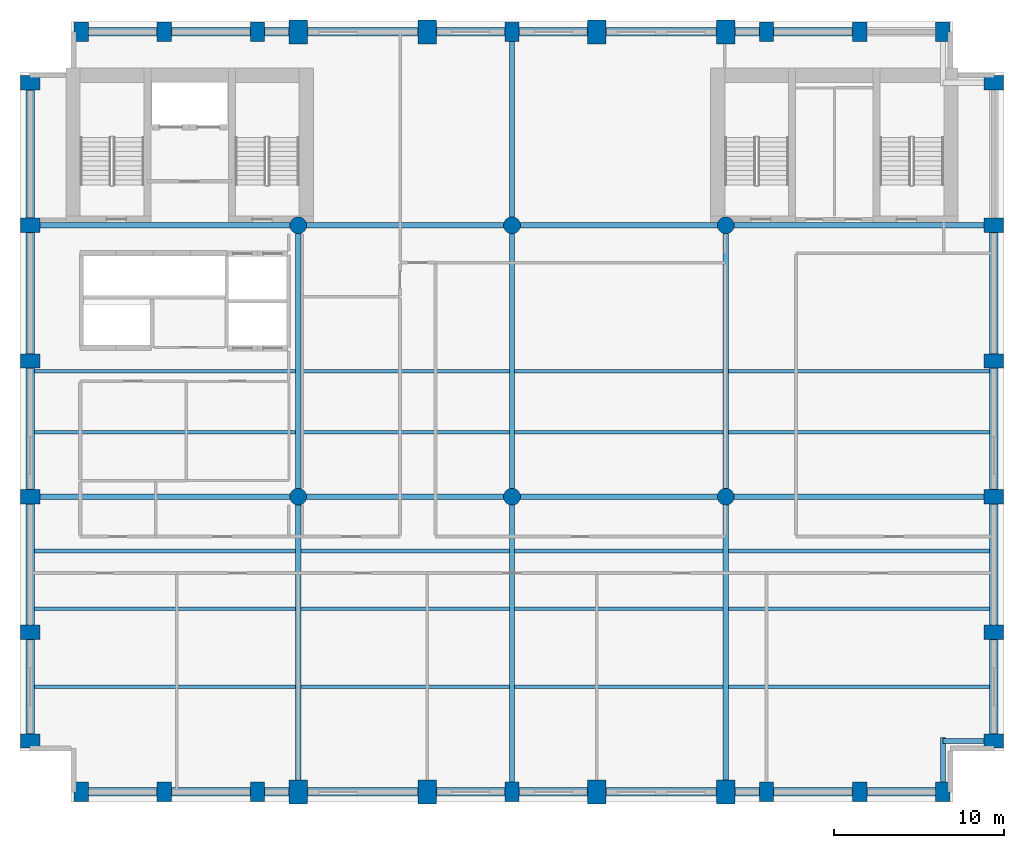
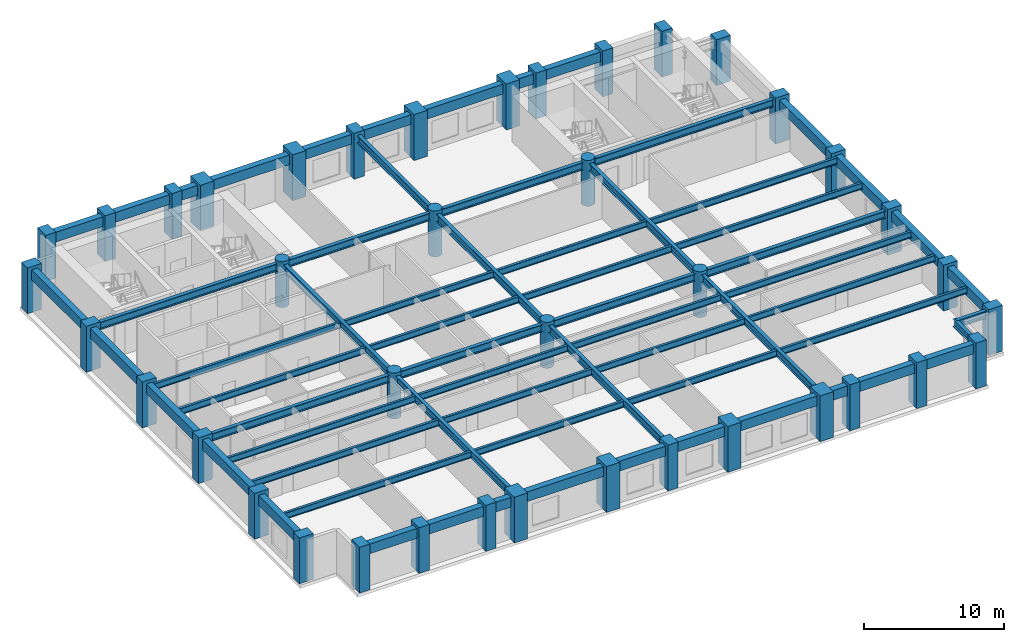
# One storey, part 1 of 8: 65 beams, 40 columns.
"""IFC4 building model written with IfcOpenShell, lengths in metres."""

from ifc_helpers import new_model, si_unit, direction, frame, origin, origin_2d, place, context, subcontext, project, spatial, rectangle, circle, i_section, extrude, material, material_profile, profile_set, type_object, element, save


model = new_model("IFC4")

# Units and contexts
model_context = context("Model", 3, precision=1e-05, world=origin(), true_north=direction((0.0, 1.0)))
body_context = subcontext(model_context, "Body", "Model", "MODEL_VIEW")
ifc_project = project(units=[si_unit("LENGTHUNIT", "METRE"), si_unit("AREAUNIT", "SQUARE_METRE"), si_unit("VOLUMEUNIT", "CUBIC_METRE"), si_unit("PLANEANGLEUNIT", "RADIAN"), si_unit("MASSUNIT", "GRAM", prefix="KILO")], contexts=[model_context])

# Site, building, storey
site_placement = place(None, origin())
site = spatial("IfcSite", under=ifc_project, at=site_placement, CompositionType="ELEMENT")
building_placement = place(site_placement, origin())
building = spatial("IfcBuilding", under=site, at=building_placement, Name="Sulina Concourse Tower", CompositionType="ELEMENT")
storey_placement = place(building_placement, frame((0.0, 0.0, 132.60009765625)))
storey = spatial("IfcBuildingStorey", under=building, at=storey_placement, Name="L32", CompositionType="ELEMENT", Elevation=132.60009765625)

# Columns
ifc_material_1 = material(Name="Concrete C60/75", Category="concrete")
ifc_material_profile_1 = material_profile(ifc_material_1, circle(Radius=0.5, at=origin_2d()), Name="RC D1000")
ifc_profile_set_1 = profile_set([ifc_material_profile_1], Name="Concrete C60/75")
column_type_1 = type_object("IfcColumnType", Name="Lower Interior Circular Column D1000", PredefinedType="COLUMN", material=ifc_profile_set_1)
for number, where, z_axis, x_axis, name in (
    (1, (16.39990234375, 18.0, 0.0), (0.0, 0.0, 1.0), (1.0, 0.0, 0.0), "L32 structural column IC-M-164"),
    (2, (16.39990234375, 34.0, 0.0), (0.0, 0.0, 1.0), (1.0, 0.0, 0.0), "L32 structural column IC-N-164"),
    (3, (29.0, 18.0, 0.0), (0.0, 0.0, 1.0), (1.0, 0.0, 0.0), "L32 structural column IC-M-290"),
    (4, (29.0, 34.0, 0.0), (0.0, 0.0, 1.0), (1.0, 0.0, 0.0), "L32 structural column IC-N-290"),
    (5, (41.60009765625, 18.0, 0.0), (0.0, 0.0, 1.0), (1.0, 0.0, 0.0), "L32 structural column IC-M-416"),
    (6, (41.60009765625, 34.0, 0.0), (0.0, 0.0, 1.0), (1.0, 0.0, 0.0), "L32 structural column IC-N-416"),
):
    element("IfcColumn", number, at=place(storey_placement, frame(where, z_axis=z_axis, x_axis=x_axis)), inside=storey, type_object=column_type_1, Name=name, PredefinedType="COLUMN", context=body_context, shape_type="SweptSolid", body=[
        extrude(circle(Radius=0.5, at=origin_2d()), origin(), (0.0, 0.0, 1.0), 4.0),
    ])
ifc_material_2 = material(Name="Concrete C60/75", Category="concrete")
ifc_material_profile_2 = material_profile(ifc_material_2, rectangle(XDim=1.10009765625, YDim=1.39990234375, at=origin_2d()), Name="RC 1100x1400")
ifc_profile_set_2 = profile_set([ifc_material_profile_2], Name="Concrete C60/75")
column_type_2 = type_object("IfcColumnType", Name="Mid-Rise Portal Column 1100x1400", PredefinedType="COLUMN", material=ifc_profile_set_2)
for number, where, z_axis, x_axis, name in (
    (7, (16.39990234375, 0.60009765625, 0.0), (0.0, 0.0, 1.0), (1.0, 0.0, 0.0), "L32 structural column TP-S-164"),
    (8, (16.39990234375, 45.39990234375, 0.0), (0.0, 0.0, 1.0), (1.0, 0.0, 0.0), "L32 structural column TP-N-164"),
    (9, (24.0, 0.60009765625, 0.0), (0.0, 0.0, 1.0), (1.0, 0.0, 0.0), "L32 structural column TP-S-240"),
    (10, (24.0, 45.39990234375, 0.0), (0.0, 0.0, 1.0), (1.0, 0.0, 0.0), "L32 structural column TP-N-240"),
    (11, (34.0, 0.60009765625, 0.0), (0.0, 0.0, 1.0), (1.0, 0.0, 0.0), "L32 structural column TP-S-340"),
    (12, (34.0, 45.39990234375, 0.0), (0.0, 0.0, 1.0), (1.0, 0.0, 0.0), "L32 structural column TP-N-340"),
    (13, (41.60009765625, 0.60009765625, 0.0), (0.0, 0.0, 1.0), (1.0, 0.0, 0.0), "L32 structural column TP-S-416"),
    (14, (41.60009765625, 45.39990234375, 0.0), (0.0, 0.0, 1.0), (1.0, 0.0, 0.0), "L32 structural column TP-N-416"),
):
    element("IfcColumn", number, at=place(storey_placement, frame(where, z_axis=z_axis, x_axis=x_axis)), inside=storey, type_object=column_type_2, Name=name, PredefinedType="COLUMN", context=body_context, shape_type="SweptSolid", body=[
        extrude(rectangle(XDim=1.10009765625, YDim=1.39990234375, at=origin_2d()), origin(), (0.0, 0.0, 1.0), 4.0),
    ])
ifc_material_3 = material(Name="Precast concrete C60/75", Category="concrete")
ifc_material_profile_3 = material_profile(ifc_material_3, rectangle(XDim=0.85009765625, YDim=1.14990234375, at=origin_2d()), Name="PC 850x1150")
ifc_profile_set_3 = profile_set([ifc_material_profile_3], Name="Precast concrete C60/75")
column_type_3 = type_object("IfcColumnType", Name="Precast Tube Pier Zone 2 850x1150", PredefinedType="COLUMN", material=ifc_profile_set_3)
for number, where, z_axis, x_axis, name in (
    (15, (3.60009765625, 0.60009765625, 0.0), (0.0, 0.0, 1.0), (1.0, 0.0, 0.0), "L32 structural column TP-S-36"),
    (16, (3.60009765625, 45.39990234375, 0.0), (0.0, 0.0, 1.0), (1.0, 0.0, 0.0), "L32 structural column TP-N-36"),
    (17, (8.5, 0.60009765625, 0.0), (0.0, 0.0, 1.0), (1.0, 0.0, 0.0), "L32 structural column TP-S-85"),
    (18, (8.5, 45.39990234375, 0.0), (0.0, 0.0, 1.0), (1.0, 0.0, 0.0), "L32 structural column TP-N-85"),
    (19, (14.0, 0.60009765625, 0.0), (0.0, 0.0, 1.0), (1.0, 0.0, 0.0), "L32 structural column TP-S-140"),
    (20, (14.0, 45.39990234375, 0.0), (0.0, 0.0, 1.0), (1.0, 0.0, 0.0), "L32 structural column TP-N-140"),
    (21, (29.0, 0.60009765625, 0.0), (0.0, 0.0, 1.0), (1.0, 0.0, 0.0), "L32 structural column TP-S-290"),
    (22, (29.0, 45.39990234375, 0.0), (0.0, 0.0, 1.0), (1.0, 0.0, 0.0), "L32 structural column TP-N-290"),
    (23, (44.0, 0.60009765625, 0.0), (0.0, 0.0, 1.0), (1.0, 0.0, 0.0), "L32 structural column TP-S-440"),
    (24, (44.0, 45.39990234375, 0.0), (0.0, 0.0, 1.0), (1.0, 0.0, 0.0), "L32 structural column TP-N-440"),
    (25, (49.5, 0.60009765625, 0.0), (0.0, 0.0, 1.0), (1.0, 0.0, 0.0), "L32 structural column TP-S-495"),
    (26, (49.5, 45.39990234375, 0.0), (0.0, 0.0, 1.0), (1.0, 0.0, 0.0), "L32 structural column TP-N-495"),
    (27, (54.39990234375, 0.60009765625, 0.0), (0.0, 0.0, 1.0), (1.0, 0.0, 0.0), "L32 structural column TP-S-544"),
    (28, (54.39990234375, 45.39990234375, 0.0), (0.0, 0.0, 1.0), (1.0, 0.0, 0.0), "L32 structural column TP-N-544"),
    (29, (0.60009765625, 3.60009765625, 0.0), (0.0, 0.0, 1.0), (0.0, 1.0, 0.0), "L32 structural column TP-W-36"),
    (30, (57.39990234375, 3.60009765625, 0.0), (0.0, 0.0, 1.0), (0.0, 1.0, 0.0), "L32 structural column TP-E-36"),
    (31, (0.60009765625, 10.0, 0.0), (0.0, 0.0, 1.0), (0.0, 1.0, 0.0), "L32 structural column TP-W-100"),
    (32, (57.39990234375, 10.0, 0.0), (0.0, 0.0, 1.0), (0.0, 1.0, 0.0), "L32 structural column TP-E-100"),
    (33, (0.60009765625, 18.0, 0.0), (0.0, 0.0, 1.0), (0.0, 1.0, 0.0), "L32 structural column TP-W-180"),
    (34, (57.39990234375, 18.0, 0.0), (0.0, 0.0, 1.0), (0.0, 1.0, 0.0), "L32 structural column TP-E-180"),
    (35, (0.60009765625, 26.0, 0.0), (0.0, 0.0, 1.0), (0.0, 1.0, 0.0), "L32 structural column TP-W-260"),
    (36, (57.39990234375, 26.0, 0.0), (0.0, 0.0, 1.0), (0.0, 1.0, 0.0), "L32 structural column TP-E-260"),
    (37, (0.60009765625, 34.0, 0.0), (0.0, 0.0, 1.0), (0.0, 1.0, 0.0), "L32 structural column TP-W-340"),
    (38, (57.39990234375, 34.0, 0.0), (0.0, 0.0, 1.0), (0.0, 1.0, 0.0), "L32 structural column TP-E-340"),
    (39, (0.60009765625, 42.39990234375, 0.0), (0.0, 0.0, 1.0), (0.0, 1.0, 0.0), "L32 structural column TP-W-424"),
    (40, (57.39990234375, 42.39990234375, 0.0), (0.0, 0.0, 1.0), (0.0, 1.0, 0.0), "L32 structural column TP-E-424"),
):
    element("IfcColumn", number, at=place(storey_placement, frame(where, z_axis=z_axis, x_axis=x_axis)), inside=storey, type_object=column_type_3, Name=name, PredefinedType="COLUMN", context=body_context, shape_type="SweptSolid", body=[
        extrude(rectangle(XDim=0.85009765625, YDim=1.14990234375, at=origin_2d()), origin(), (0.0, 0.0, 1.0), 4.0),
    ])

# Beams
ifc_material_4 = material(Name="Steel S355", Category="steel")
ifc_material_profile_4 = material_profile(ifc_material_4, i_section(OverallWidth=0.2099609375, OverallDepth=0.550048828125, WebThickness=0.010986328125, FlangeThickness=0.01708984375, at=origin_2d()), Name="IPE 550")
ifc_profile_set_4 = profile_set([ifc_material_profile_4], Name="Steel S355")
beam_type_1 = type_object("IfcBeamType", Name="Composite Floor Joist IPE550", PredefinedType="JOIST", material=ifc_profile_set_4)
beam_1_placement = place(storey_placement, frame((0.85009765625, 6.800048828125, 3.449951171875), z_axis=(1.0, 0.0, 0.0), x_axis=(0.0, 1.0, 0.0)))
element("IfcBeam", 41, at=beam_1_placement, inside=storey, type_object=beam_type_1, Name="FJ-J06-1-L32", PredefinedType="JOIST", context=body_context, shape_type="SweptSolid", body=[
    extrude(i_section(OverallWidth=0.2099609375, OverallDepth=0.550048828125, WebThickness=0.010986328125, FlangeThickness=0.01708984375, at=origin_2d()), origin(), (0.0, 0.0, 1.0), 15.39990234375),
])
for number, where, z_axis, x_axis, name in (
    (42, (16.550048828125, 6.800048828125, 3.449951171875), (1.0, 0.0, 0.0), (0.0, 1.0, 0.0), "FJ-J06-2-L32"),
    (43, (29.14990234375, 6.800048828125, 3.449951171875), (1.0, 0.0, 0.0), (0.0, 1.0, 0.0), "FJ-J06-3-L32"),
):
    element("IfcBeam", number, at=place(storey_placement, frame(where, z_axis=z_axis, x_axis=x_axis)), inside=storey, type_object=beam_type_1, Name=name, PredefinedType="JOIST", context=body_context, shape_type="SweptSolid", body=[
        extrude(i_section(OverallWidth=0.2099609375, OverallDepth=0.550048828125, WebThickness=0.010986328125, FlangeThickness=0.01708984375, at=origin_2d()), origin(), (0.0, 0.0, 1.0), 12.300048828125),
    ])
for number, where, z_axis, x_axis, name in (
    (44, (41.75, 6.800048828125, 3.449951171875), (1.0, 0.0, 0.0), (0.0, 1.0, 0.0), "FJ-J06-4-L32"),
    (45, (0.85009765625, 11.39990234375, 3.449951171875), (1.0, 0.0, 0.0), (0.0, 1.0, 0.0), "FJ-J11-1-L32"),
):
    element("IfcBeam", number, at=place(storey_placement, frame(where, z_axis=z_axis, x_axis=x_axis)), inside=storey, type_object=beam_type_1, Name=name, PredefinedType="JOIST", context=body_context, shape_type="SweptSolid", body=[
        extrude(i_section(OverallWidth=0.2099609375, OverallDepth=0.550048828125, WebThickness=0.010986328125, FlangeThickness=0.01708984375, at=origin_2d()), origin(), (0.0, 0.0, 1.0), 15.39990234375),
    ])
for number, where, z_axis, x_axis, name in (
    (46, (16.550048828125, 11.39990234375, 3.449951171875), (1.0, 0.0, 0.0), (0.0, 1.0, 0.0), "FJ-J11-2-L32"),
    (47, (29.14990234375, 11.39990234375, 3.449951171875), (1.0, 0.0, 0.0), (0.0, 1.0, 0.0), "FJ-J11-3-L32"),
):
    element("IfcBeam", number, at=place(storey_placement, frame(where, z_axis=z_axis, x_axis=x_axis)), inside=storey, type_object=beam_type_1, Name=name, PredefinedType="JOIST", context=body_context, shape_type="SweptSolid", body=[
        extrude(i_section(OverallWidth=0.2099609375, OverallDepth=0.550048828125, WebThickness=0.010986328125, FlangeThickness=0.01708984375, at=origin_2d()), origin(), (0.0, 0.0, 1.0), 12.300048828125),
    ])
for number, where, z_axis, x_axis, name in (
    (48, (41.75, 11.39990234375, 3.449951171875), (1.0, 0.0, 0.0), (0.0, 1.0, 0.0), "FJ-J11-4-L32"),
    (49, (0.85009765625, 14.800048828125, 3.449951171875), (1.0, 0.0, 0.0), (0.0, 1.0, 0.0), "FJ-J15-1-L32"),
):
    element("IfcBeam", number, at=place(storey_placement, frame(where, z_axis=z_axis, x_axis=x_axis)), inside=storey, type_object=beam_type_1, Name=name, PredefinedType="JOIST", context=body_context, shape_type="SweptSolid", body=[
        extrude(i_section(OverallWidth=0.2099609375, OverallDepth=0.550048828125, WebThickness=0.010986328125, FlangeThickness=0.01708984375, at=origin_2d()), origin(), (0.0, 0.0, 1.0), 15.39990234375),
    ])
for number, where, z_axis, x_axis, name in (
    (50, (16.550048828125, 14.800048828125, 3.449951171875), (1.0, 0.0, 0.0), (0.0, 1.0, 0.0), "FJ-J15-2-L32"),
    (51, (29.14990234375, 14.800048828125, 3.449951171875), (1.0, 0.0, 0.0), (0.0, 1.0, 0.0), "FJ-J15-3-L32"),
):
    element("IfcBeam", number, at=place(storey_placement, frame(where, z_axis=z_axis, x_axis=x_axis)), inside=storey, type_object=beam_type_1, Name=name, PredefinedType="JOIST", context=body_context, shape_type="SweptSolid", body=[
        extrude(i_section(OverallWidth=0.2099609375, OverallDepth=0.550048828125, WebThickness=0.010986328125, FlangeThickness=0.01708984375, at=origin_2d()), origin(), (0.0, 0.0, 1.0), 12.300048828125),
    ])
for number, where, z_axis, x_axis, name in (
    (52, (41.75, 14.800048828125, 3.449951171875), (1.0, 0.0, 0.0), (0.0, 1.0, 0.0), "FJ-J15-4-L32"),
    (53, (0.85009765625, 21.800048828125, 3.449951171875), (1.0, 0.0, 0.0), (0.0, 1.0, 0.0), "FJ-J22-1-L32"),
):
    element("IfcBeam", number, at=place(storey_placement, frame(where, z_axis=z_axis, x_axis=x_axis)), inside=storey, type_object=beam_type_1, Name=name, PredefinedType="JOIST", context=body_context, shape_type="SweptSolid", body=[
        extrude(i_section(OverallWidth=0.2099609375, OverallDepth=0.550048828125, WebThickness=0.010986328125, FlangeThickness=0.01708984375, at=origin_2d()), origin(), (0.0, 0.0, 1.0), 15.39990234375),
    ])
for number, where, z_axis, x_axis, name in (
    (54, (16.550048828125, 21.800048828125, 3.449951171875), (1.0, 0.0, 0.0), (0.0, 1.0, 0.0), "FJ-J22-2-L32"),
    (55, (29.14990234375, 21.800048828125, 3.449951171875), (1.0, 0.0, 0.0), (0.0, 1.0, 0.0), "FJ-J22-3-L32"),
):
    element("IfcBeam", number, at=place(storey_placement, frame(where, z_axis=z_axis, x_axis=x_axis)), inside=storey, type_object=beam_type_1, Name=name, PredefinedType="JOIST", context=body_context, shape_type="SweptSolid", body=[
        extrude(i_section(OverallWidth=0.2099609375, OverallDepth=0.550048828125, WebThickness=0.010986328125, FlangeThickness=0.01708984375, at=origin_2d()), origin(), (0.0, 0.0, 1.0), 12.300048828125),
    ])
for number, where, z_axis, x_axis, name in (
    (56, (41.75, 21.800048828125, 3.449951171875), (1.0, 0.0, 0.0), (0.0, 1.0, 0.0), "FJ-J22-4-L32"),
    (57, (0.85009765625, 25.39990234375, 3.449951171875), (1.0, 0.0, 0.0), (0.0, 1.0, 0.0), "FJ-J25-1-L32"),
):
    element("IfcBeam", number, at=place(storey_placement, frame(where, z_axis=z_axis, x_axis=x_axis)), inside=storey, type_object=beam_type_1, Name=name, PredefinedType="JOIST", context=body_context, shape_type="SweptSolid", body=[
        extrude(i_section(OverallWidth=0.2099609375, OverallDepth=0.550048828125, WebThickness=0.010986328125, FlangeThickness=0.01708984375, at=origin_2d()), origin(), (0.0, 0.0, 1.0), 15.39990234375),
    ])
for number, where, z_axis, x_axis, name in (
    (58, (16.550048828125, 25.39990234375, 3.449951171875), (1.0, 0.0, 0.0), (0.0, 1.0, 0.0), "FJ-J25-2-L32"),
    (59, (29.14990234375, 25.39990234375, 3.449951171875), (1.0, 0.0, 0.0), (0.0, 1.0, 0.0), "FJ-J25-3-L32"),
):
    element("IfcBeam", number, at=place(storey_placement, frame(where, z_axis=z_axis, x_axis=x_axis)), inside=storey, type_object=beam_type_1, Name=name, PredefinedType="JOIST", context=body_context, shape_type="SweptSolid", body=[
        extrude(i_section(OverallWidth=0.2099609375, OverallDepth=0.550048828125, WebThickness=0.010986328125, FlangeThickness=0.01708984375, at=origin_2d()), origin(), (0.0, 0.0, 1.0), 12.300048828125),
    ])
beam_2_placement = place(storey_placement, frame((41.75, 25.39990234375, 3.449951171875), z_axis=(1.0, 0.0, 0.0), x_axis=(0.0, 1.0, 0.0)))
element("IfcBeam", 60, at=beam_2_placement, inside=storey, type_object=beam_type_1, Name="FJ-J25-4-L32", PredefinedType="JOIST", context=body_context, shape_type="SweptSolid", body=[
    extrude(i_section(OverallWidth=0.2099609375, OverallDepth=0.550048828125, WebThickness=0.010986328125, FlangeThickness=0.01708984375, at=origin_2d()), origin(), (0.0, 0.0, 1.0), 15.39990234375),
])
ifc_material_5 = material(Name="Steel S355", Category="steel")
ifc_material_profile_5 = material_profile(ifc_material_5, i_section(OverallWidth=0.300048828125, OverallDepth=0.64990234375, WebThickness=0.01611328125, FlangeThickness=0.031005859375, at=origin_2d()), Name="HE 650 B")
ifc_profile_set_5 = profile_set([ifc_material_profile_5], Name="Steel S355")
beam_type_2 = type_object("IfcBeamType", Name="Floor Primary Girder Zone 2 HE650B", PredefinedType="BEAM", material=ifc_profile_set_5)
beam_3_placement = place(storey_placement, frame((54.39990234375, 3.60009765625, 3.39990234375), z_axis=(1.0, 0.0, 0.0), x_axis=(0.0, 1.0, 0.0)))
element("IfcBeam", 61, at=beam_3_placement, inside=storey, type_object=beam_type_2, Name="TIE-SE-L32", PredefinedType="BEAM", context=body_context, shape_type="SweptSolid", body=[
    extrude(i_section(OverallWidth=0.300048828125, OverallDepth=0.64990234375, WebThickness=0.01611328125, FlangeThickness=0.031005859375, at=origin_2d()), origin(), (0.0, 0.0, 1.0), 2.59521484375),
])
beam_4_placement = place(storey_placement, frame((54.39990234375, 1.0048828125, 3.39990234375), z_axis=(0.0, 1.0, 0.0), x_axis=(-1.0, 0.0, 0.0)))
element("IfcBeam", 62, at=beam_4_placement, inside=storey, type_object=beam_type_2, Name="TIE-SES-L32", PredefinedType="BEAM", context=body_context, shape_type="SweptSolid", body=[
    extrude(i_section(OverallWidth=0.300048828125, OverallDepth=0.64990234375, WebThickness=0.01611328125, FlangeThickness=0.031005859375, at=origin_2d()), origin(), (0.0, 0.0, 1.0), 2.795166015625),
])
beam_5_placement = place(storey_placement, frame((1.0048828125, 18.0, 3.39990234375), z_axis=(1.0, 0.0, 0.0), x_axis=(0.0, 1.0, 0.0)))
element("IfcBeam", 63, at=beam_5_placement, inside=storey, type_object=beam_type_2, Name="FG-EW1-L32", PredefinedType="BEAM", context=body_context, shape_type="SweptSolid", body=[
    extrude(i_section(OverallWidth=0.300048828125, OverallDepth=0.64990234375, WebThickness=0.01611328125, FlangeThickness=0.031005859375, at=origin_2d()), origin(), (0.0, 0.0, 1.0), 14.9150390625),
])
for number, where, z_axis, x_axis, name in (
    (64, (16.8798828125, 18.0, 3.39990234375), (1.0, 0.0, 0.0), (0.0, 1.0, 0.0), "FG-EW2-L32"),
    (65, (29.47998046875, 18.0, 3.39990234375), (1.0, 0.0, 0.0), (0.0, 1.0, 0.0), "FG-EW3-L32"),
):
    element("IfcBeam", number, at=place(storey_placement, frame(where, z_axis=z_axis, x_axis=x_axis)), inside=storey, type_object=beam_type_2, Name=name, PredefinedType="BEAM", context=body_context, shape_type="SweptSolid", body=[
        extrude(i_section(OverallWidth=0.300048828125, OverallDepth=0.64990234375, WebThickness=0.01611328125, FlangeThickness=0.031005859375, at=origin_2d()), origin(), (0.0, 0.0, 1.0), 11.64013671875),
    ])
for number, where, z_axis, x_axis, name in (
    (66, (42.080078125, 18.0, 3.39990234375), (1.0, 0.0, 0.0), (0.0, 1.0, 0.0), "FG-EW4-L32"),
    (67, (1.0048828125, 34.0, 3.39990234375), (1.0, 0.0, 0.0), (0.0, 1.0, 0.0), "FG-EWN1-L32"),
):
    element("IfcBeam", number, at=place(storey_placement, frame(where, z_axis=z_axis, x_axis=x_axis)), inside=storey, type_object=beam_type_2, Name=name, PredefinedType="BEAM", context=body_context, shape_type="SweptSolid", body=[
        extrude(i_section(OverallWidth=0.300048828125, OverallDepth=0.64990234375, WebThickness=0.01611328125, FlangeThickness=0.031005859375, at=origin_2d()), origin(), (0.0, 0.0, 1.0), 14.9150390625),
    ])
for number, where, z_axis, x_axis, name in (
    (68, (16.8798828125, 34.0, 3.39990234375), (1.0, 0.0, 0.0), (0.0, 1.0, 0.0), "FG-EWN2-L32"),
    (69, (29.47998046875, 34.0, 3.39990234375), (1.0, 0.0, 0.0), (0.0, 1.0, 0.0), "FG-EWN3-L32"),
):
    element("IfcBeam", number, at=place(storey_placement, frame(where, z_axis=z_axis, x_axis=x_axis)), inside=storey, type_object=beam_type_2, Name=name, PredefinedType="BEAM", context=body_context, shape_type="SweptSolid", body=[
        extrude(i_section(OverallWidth=0.300048828125, OverallDepth=0.64990234375, WebThickness=0.01611328125, FlangeThickness=0.031005859375, at=origin_2d()), origin(), (0.0, 0.0, 1.0), 11.64013671875),
    ])
beam_6_placement = place(storey_placement, frame((42.080078125, 34.0, 3.39990234375), z_axis=(1.0, 0.0, 0.0), x_axis=(0.0, 1.0, 0.0)))
element("IfcBeam", 70, at=beam_6_placement, inside=storey, type_object=beam_type_2, Name="FG-EWN4-L32", PredefinedType="BEAM", context=body_context, shape_type="SweptSolid", body=[
    extrude(i_section(OverallWidth=0.300048828125, OverallDepth=0.64990234375, WebThickness=0.01611328125, FlangeThickness=0.031005859375, at=origin_2d()), origin(), (0.0, 0.0, 1.0), 14.9150390625),
])
beam_7_placement = place(storey_placement, frame((16.39990234375, 1.1298828125, 3.39990234375), z_axis=(0.0, 1.0, 0.0), x_axis=(-1.0, 0.0, 0.0)))
element("IfcBeam", 71, at=beam_7_placement, inside=storey, type_object=beam_type_2, Name="FG-NSA-16-L32", PredefinedType="BEAM", context=body_context, shape_type="SweptSolid", body=[
    extrude(i_section(OverallWidth=0.300048828125, OverallDepth=0.64990234375, WebThickness=0.01611328125, FlangeThickness=0.031005859375, at=origin_2d()), origin(), (0.0, 0.0, 1.0), 16.39013671875),
])
beam_8_placement = place(storey_placement, frame((16.39990234375, 18.47998046875, 3.39990234375), z_axis=(0.0, 1.0, 0.0), x_axis=(-1.0, 0.0, 0.0)))
element("IfcBeam", 72, at=beam_8_placement, inside=storey, type_object=beam_type_2, Name="FG-NSB-16-L32", PredefinedType="BEAM", context=body_context, shape_type="SweptSolid", body=[
    extrude(i_section(OverallWidth=0.300048828125, OverallDepth=0.64990234375, WebThickness=0.01611328125, FlangeThickness=0.031005859375, at=origin_2d()), origin(), (0.0, 0.0, 1.0), 15.0400390625),
])
beam_9_placement = place(storey_placement, frame((29.0, 1.0048828125, 3.39990234375), z_axis=(0.0, 1.0, 0.0), x_axis=(-1.0, 0.0, 0.0)))
element("IfcBeam", 73, at=beam_9_placement, inside=storey, type_object=beam_type_2, Name="FG-NSA-29-L32", PredefinedType="BEAM", context=body_context, shape_type="SweptSolid", body=[
    extrude(i_section(OverallWidth=0.300048828125, OverallDepth=0.64990234375, WebThickness=0.01611328125, FlangeThickness=0.031005859375, at=origin_2d()), origin(), (0.0, 0.0, 1.0), 16.51513671875),
])
beam_10_placement = place(storey_placement, frame((29.0, 18.47998046875, 3.39990234375), z_axis=(0.0, 1.0, 0.0), x_axis=(-1.0, 0.0, 0.0)))
element("IfcBeam", 74, at=beam_10_placement, inside=storey, type_object=beam_type_2, Name="FG-NSB-29-L32", PredefinedType="BEAM", context=body_context, shape_type="SweptSolid", body=[
    extrude(i_section(OverallWidth=0.300048828125, OverallDepth=0.64990234375, WebThickness=0.01611328125, FlangeThickness=0.031005859375, at=origin_2d()), origin(), (0.0, 0.0, 1.0), 15.0400390625),
])
beam_11_placement = place(storey_placement, frame((29.0, 34.47998046875, 3.39990234375), z_axis=(0.0, 1.0, 0.0), x_axis=(-1.0, 0.0, 0.0)))
element("IfcBeam", 75, at=beam_11_placement, inside=storey, type_object=beam_type_2, Name="FG-NSC-29-L32", PredefinedType="BEAM", context=body_context, shape_type="SweptSolid", body=[
    extrude(i_section(OverallWidth=0.300048828125, OverallDepth=0.64990234375, WebThickness=0.01611328125, FlangeThickness=0.031005859375, at=origin_2d()), origin(), (0.0, 0.0, 1.0), 10.51513671875),
])
beam_12_placement = place(storey_placement, frame((41.60009765625, 1.1298828125, 3.39990234375), z_axis=(0.0, 1.0, 0.0), x_axis=(-1.0, 0.0, 0.0)))
element("IfcBeam", 76, at=beam_12_placement, inside=storey, type_object=beam_type_2, Name="FG-NSA-41-L32", PredefinedType="BEAM", context=body_context, shape_type="SweptSolid", body=[
    extrude(i_section(OverallWidth=0.300048828125, OverallDepth=0.64990234375, WebThickness=0.01611328125, FlangeThickness=0.031005859375, at=origin_2d()), origin(), (0.0, 0.0, 1.0), 16.39013671875),
])
beam_13_placement = place(storey_placement, frame((41.60009765625, 18.47998046875, 3.39990234375), z_axis=(0.0, 1.0, 0.0), x_axis=(-1.0, 0.0, 0.0)))
element("IfcBeam", 77, at=beam_13_placement, inside=storey, type_object=beam_type_2, Name="FG-NSB-41-L32", PredefinedType="BEAM", context=body_context, shape_type="SweptSolid", body=[
    extrude(i_section(OverallWidth=0.300048828125, OverallDepth=0.64990234375, WebThickness=0.01611328125, FlangeThickness=0.031005859375, at=origin_2d()), origin(), (0.0, 0.0, 1.0), 15.0400390625),
])
ifc_material_6 = material(Name="Precast concrete C50/60", Category="concrete")
ifc_material_profile_6 = material_profile(ifc_material_6, rectangle(XDim=0.5, YDim=0.85009765625, at=origin_2d()), Name="RC 500x850")
ifc_profile_set_6 = profile_set([ifc_material_profile_6], Name="Precast concrete C50/60")
beam_type_3 = type_object("IfcBeamType", Name="Lower Precast Spandrel Edge Beam 500x850", PredefinedType="BEAM", material=ifc_profile_set_6)
beam_14_placement = place(storey_placement, frame((4.0048828125, 0.60009765625, 3.2998046875), z_axis=(1.0, 0.0, 0.0), x_axis=(0.0, 1.0, 0.0)))
element("IfcBeam", 78, at=beam_14_placement, inside=storey, type_object=beam_type_3, Name="SP-S1-L32", PredefinedType="BEAM", context=body_context, shape_type="SweptSolid", body=[
    extrude(rectangle(XDim=0.5, YDim=0.85009765625, at=origin_2d()), origin(), (0.0, 0.0, 1.0), 4.090087890625),
])
beam_15_placement = place(storey_placement, frame((8.905029296875, 0.60009765625, 3.2998046875), z_axis=(1.0, 0.0, 0.0), x_axis=(0.0, 1.0, 0.0)))
element("IfcBeam", 79, at=beam_15_placement, inside=storey, type_object=beam_type_3, Name="SP-S2-L32", PredefinedType="BEAM", context=body_context, shape_type="SweptSolid", body=[
    extrude(rectangle(XDim=0.5, YDim=0.85009765625, at=origin_2d()), origin(), (0.0, 0.0, 1.0), 4.68994140625),
])
beam_16_placement = place(storey_placement, frame((14.405029296875, 0.60009765625, 3.2998046875), z_axis=(1.0, 0.0, 0.0), x_axis=(0.0, 1.0, 0.0)))
element("IfcBeam", 80, at=beam_16_placement, inside=storey, type_object=beam_type_3, Name="SP-S3-L32", PredefinedType="BEAM", context=body_context, shape_type="SweptSolid", body=[
    extrude(rectangle(XDim=0.5, YDim=0.85009765625, at=origin_2d()), origin(), (0.0, 0.0, 1.0), 1.465087890625),
])
beam_17_placement = place(storey_placement, frame((16.929931640625, 0.60009765625, 3.2998046875), z_axis=(1.0, 0.0, 0.0), x_axis=(0.0, 1.0, 0.0)))
element("IfcBeam", 81, at=beam_17_placement, inside=storey, type_object=beam_type_3, Name="SP-S4-L32", PredefinedType="BEAM", context=body_context, shape_type="SweptSolid", body=[
    extrude(rectangle(XDim=0.5, YDim=0.85009765625, at=origin_2d()), origin(), (0.0, 0.0, 1.0), 6.5400390625),
])
for number, where, z_axis, x_axis, name in (
    (82, (24.530029296875, 0.60009765625, 3.2998046875), (1.0, 0.0, 0.0), (0.0, 1.0, 0.0), "SP-S5-L32"),
    (83, (29.405029296875, 0.60009765625, 3.2998046875), (1.0, 0.0, 0.0), (0.0, 1.0, 0.0), "SP-S6-L32"),
):
    element("IfcBeam", number, at=place(storey_placement, frame(where, z_axis=z_axis, x_axis=x_axis)), inside=storey, type_object=beam_type_3, Name=name, PredefinedType="BEAM", context=body_context, shape_type="SweptSolid", body=[
        extrude(rectangle(XDim=0.5, YDim=0.85009765625, at=origin_2d()), origin(), (0.0, 0.0, 1.0), 4.06494140625),
    ])
beam_18_placement = place(storey_placement, frame((34.530029296875, 0.60009765625, 3.2998046875), z_axis=(1.0, 0.0, 0.0), x_axis=(0.0, 1.0, 0.0)))
element("IfcBeam", 84, at=beam_18_placement, inside=storey, type_object=beam_type_3, Name="SP-S7-L32", PredefinedType="BEAM", context=body_context, shape_type="SweptSolid", body=[
    extrude(rectangle(XDim=0.5, YDim=0.85009765625, at=origin_2d()), origin(), (0.0, 0.0, 1.0), 6.5400390625),
])
beam_19_placement = place(storey_placement, frame((42.1298828125, 0.60009765625, 3.2998046875), z_axis=(1.0, 0.0, 0.0), x_axis=(0.0, 1.0, 0.0)))
element("IfcBeam", 85, at=beam_19_placement, inside=storey, type_object=beam_type_3, Name="SP-S8-L32", PredefinedType="BEAM", context=body_context, shape_type="SweptSolid", body=[
    extrude(rectangle(XDim=0.5, YDim=0.85009765625, at=origin_2d()), origin(), (0.0, 0.0, 1.0), 1.465087890625),
])
beam_20_placement = place(storey_placement, frame((44.405029296875, 0.60009765625, 3.2998046875), z_axis=(1.0, 0.0, 0.0), x_axis=(0.0, 1.0, 0.0)))
element("IfcBeam", 86, at=beam_20_placement, inside=storey, type_object=beam_type_3, Name="SP-S9-L32", PredefinedType="BEAM", context=body_context, shape_type="SweptSolid", body=[
    extrude(rectangle(XDim=0.5, YDim=0.85009765625, at=origin_2d()), origin(), (0.0, 0.0, 1.0), 4.68994140625),
])
for number, where, z_axis, x_axis, name in (
    (87, (49.905029296875, 0.60009765625, 3.2998046875), (1.0, 0.0, 0.0), (0.0, 1.0, 0.0), "SP-S10-L32"),
    (88, (4.0048828125, 45.39990234375, 3.2998046875), (1.0, 0.0, 0.0), (0.0, 1.0, 0.0), "SP-N1-L32"),
):
    element("IfcBeam", number, at=place(storey_placement, frame(where, z_axis=z_axis, x_axis=x_axis)), inside=storey, type_object=beam_type_3, Name=name, PredefinedType="BEAM", context=body_context, shape_type="SweptSolid", body=[
        extrude(rectangle(XDim=0.5, YDim=0.85009765625, at=origin_2d()), origin(), (0.0, 0.0, 1.0), 4.090087890625),
    ])
beam_21_placement = place(storey_placement, frame((8.905029296875, 45.39990234375, 3.2998046875), z_axis=(1.0, 0.0, 0.0), x_axis=(0.0, 1.0, 0.0)))
element("IfcBeam", 89, at=beam_21_placement, inside=storey, type_object=beam_type_3, Name="SP-N2-L32", PredefinedType="BEAM", context=body_context, shape_type="SweptSolid", body=[
    extrude(rectangle(XDim=0.5, YDim=0.85009765625, at=origin_2d()), origin(), (0.0, 0.0, 1.0), 4.68994140625),
])
beam_22_placement = place(storey_placement, frame((14.405029296875, 45.39990234375, 3.2998046875), z_axis=(1.0, 0.0, 0.0), x_axis=(0.0, 1.0, 0.0)))
element("IfcBeam", 90, at=beam_22_placement, inside=storey, type_object=beam_type_3, Name="SP-N3-L32", PredefinedType="BEAM", context=body_context, shape_type="SweptSolid", body=[
    extrude(rectangle(XDim=0.5, YDim=0.85009765625, at=origin_2d()), origin(), (0.0, 0.0, 1.0), 1.465087890625),
])
beam_23_placement = place(storey_placement, frame((16.929931640625, 45.39990234375, 3.2998046875), z_axis=(1.0, 0.0, 0.0), x_axis=(0.0, 1.0, 0.0)))
element("IfcBeam", 91, at=beam_23_placement, inside=storey, type_object=beam_type_3, Name="SP-N4-L32", PredefinedType="BEAM", context=body_context, shape_type="SweptSolid", body=[
    extrude(rectangle(XDim=0.5, YDim=0.85009765625, at=origin_2d()), origin(), (0.0, 0.0, 1.0), 6.5400390625),
])
for number, where, z_axis, x_axis, name in (
    (92, (24.530029296875, 45.39990234375, 3.2998046875), (1.0, 0.0, 0.0), (0.0, 1.0, 0.0), "SP-N5-L32"),
    (93, (29.405029296875, 45.39990234375, 3.2998046875), (1.0, 0.0, 0.0), (0.0, 1.0, 0.0), "SP-N6-L32"),
):
    element("IfcBeam", number, at=place(storey_placement, frame(where, z_axis=z_axis, x_axis=x_axis)), inside=storey, type_object=beam_type_3, Name=name, PredefinedType="BEAM", context=body_context, shape_type="SweptSolid", body=[
        extrude(rectangle(XDim=0.5, YDim=0.85009765625, at=origin_2d()), origin(), (0.0, 0.0, 1.0), 4.06494140625),
    ])
beam_24_placement = place(storey_placement, frame((34.530029296875, 45.39990234375, 3.2998046875), z_axis=(1.0, 0.0, 0.0), x_axis=(0.0, 1.0, 0.0)))
element("IfcBeam", 94, at=beam_24_placement, inside=storey, type_object=beam_type_3, Name="SP-N7-L32", PredefinedType="BEAM", context=body_context, shape_type="SweptSolid", body=[
    extrude(rectangle(XDim=0.5, YDim=0.85009765625, at=origin_2d()), origin(), (0.0, 0.0, 1.0), 6.5400390625),
])
beam_25_placement = place(storey_placement, frame((42.1298828125, 45.39990234375, 3.2998046875), z_axis=(1.0, 0.0, 0.0), x_axis=(0.0, 1.0, 0.0)))
element("IfcBeam", 95, at=beam_25_placement, inside=storey, type_object=beam_type_3, Name="SP-N8-L32", PredefinedType="BEAM", context=body_context, shape_type="SweptSolid", body=[
    extrude(rectangle(XDim=0.5, YDim=0.85009765625, at=origin_2d()), origin(), (0.0, 0.0, 1.0), 1.465087890625),
])
beam_26_placement = place(storey_placement, frame((44.405029296875, 45.39990234375, 3.2998046875), z_axis=(1.0, 0.0, 0.0), x_axis=(0.0, 1.0, 0.0)))
element("IfcBeam", 96, at=beam_26_placement, inside=storey, type_object=beam_type_3, Name="SP-N9-L32", PredefinedType="BEAM", context=body_context, shape_type="SweptSolid", body=[
    extrude(rectangle(XDim=0.5, YDim=0.85009765625, at=origin_2d()), origin(), (0.0, 0.0, 1.0), 4.68994140625),
])
beam_27_placement = place(storey_placement, frame((0.60009765625, 4.0048828125, 3.2998046875), z_axis=(0.0, 1.0, 0.0), x_axis=(-1.0, 0.0, 0.0)))
element("IfcBeam", 97, at=beam_27_placement, inside=storey, type_object=beam_type_3, Name="SP-W1-L32", PredefinedType="BEAM", context=body_context, shape_type="SweptSolid", body=[
    extrude(rectangle(XDim=0.5, YDim=0.85009765625, at=origin_2d()), origin(), (0.0, 0.0, 1.0), 5.590087890625),
])
for number, where, z_axis, x_axis, name in (
    (98, (0.60009765625, 10.405029296875, 3.2998046875), (0.0, 1.0, 0.0), (-1.0, 0.0, 0.0), "SP-W2-L32"),
    (99, (0.60009765625, 18.405029296875, 3.2998046875), (0.0, 1.0, 0.0), (-1.0, 0.0, 0.0), "SP-W3-L32"),
    (100, (0.60009765625, 26.405029296875, 3.2998046875), (0.0, 1.0, 0.0), (-1.0, 0.0, 0.0), "SP-W4-L32"),
):
    element("IfcBeam", number, at=place(storey_placement, frame(where, z_axis=z_axis, x_axis=x_axis)), inside=storey, type_object=beam_type_3, Name=name, PredefinedType="BEAM", context=body_context, shape_type="SweptSolid", body=[
        extrude(rectangle(XDim=0.5, YDim=0.85009765625, at=origin_2d()), origin(), (0.0, 0.0, 1.0), 7.18994140625),
    ])
beam_28_placement = place(storey_placement, frame((0.60009765625, 34.405029296875, 3.2998046875), z_axis=(0.0, 1.0, 0.0), x_axis=(-1.0, 0.0, 0.0)))
element("IfcBeam", 101, at=beam_28_placement, inside=storey, type_object=beam_type_3, Name="SP-W5-L32", PredefinedType="BEAM", context=body_context, shape_type="SweptSolid", body=[
    extrude(rectangle(XDim=0.5, YDim=0.85009765625, at=origin_2d()), origin(), (0.0, 0.0, 1.0), 7.590087890625),
])
beam_29_placement = place(storey_placement, frame((57.39990234375, 4.0048828125, 3.2998046875), z_axis=(0.0, 1.0, 0.0), x_axis=(-1.0, 0.0, 0.0)))
element("IfcBeam", 102, at=beam_29_placement, inside=storey, type_object=beam_type_3, Name="SP-E1-L32", PredefinedType="BEAM", context=body_context, shape_type="SweptSolid", body=[
    extrude(rectangle(XDim=0.5, YDim=0.85009765625, at=origin_2d()), origin(), (0.0, 0.0, 1.0), 5.590087890625),
])
for number, where, z_axis, x_axis, name in (
    (103, (57.39990234375, 10.405029296875, 3.2998046875), (0.0, 1.0, 0.0), (-1.0, 0.0, 0.0), "SP-E2-L32"),
    (104, (57.39990234375, 18.405029296875, 3.2998046875), (0.0, 1.0, 0.0), (-1.0, 0.0, 0.0), "SP-E3-L32"),
    (105, (57.39990234375, 26.405029296875, 3.2998046875), (0.0, 1.0, 0.0), (-1.0, 0.0, 0.0), "SP-E4-L32"),
):
    element("IfcBeam", number, at=place(storey_placement, frame(where, z_axis=z_axis, x_axis=x_axis)), inside=storey, type_object=beam_type_3, Name=name, PredefinedType="BEAM", context=body_context, shape_type="SweptSolid", body=[
        extrude(rectangle(XDim=0.5, YDim=0.85009765625, at=origin_2d()), origin(), (0.0, 0.0, 1.0), 7.18994140625),
    ])

save(model, "model.ifc")
